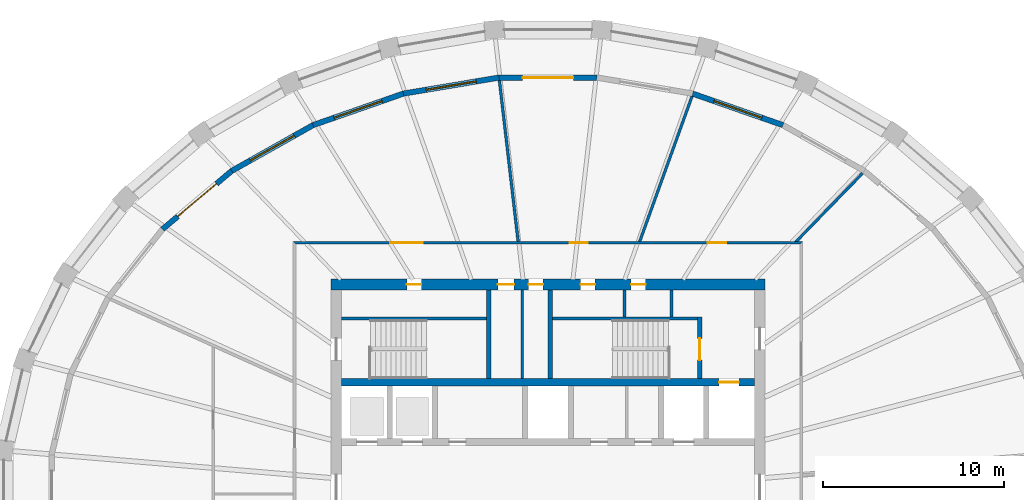
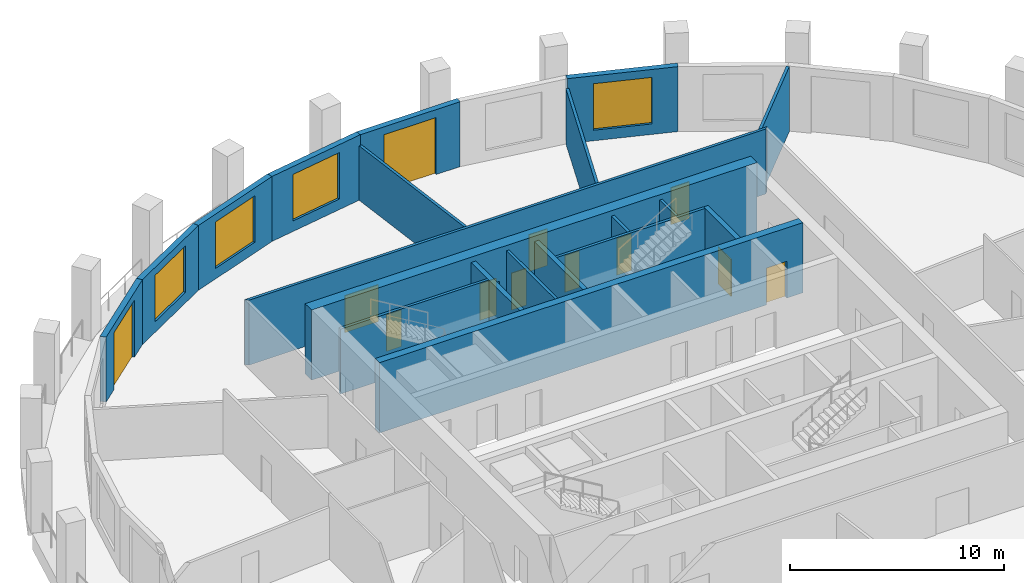
# One storey, part 6 of 10: 20 walls, 12 doors, 4 windows, 16 openings.
"""IFC4 building model written with IfcOpenShell, lengths in metres."""

from ifc_helpers import new_model, si_unit, direction, frame, frame_2d, origin, place, context, subcontext, project, spatial, polyline, rectangle, outline, extrude, material, layer, layer_set, type_object, element, fill, save


model = new_model("IFC4")

# Units and contexts
model_context = context("Model", 3, precision=1e-05, world=origin(), true_north=direction((0.0, 1.0)))
body_context = subcontext(model_context, "Body", "Model", "MODEL_VIEW")
ifc_project = project(units=[si_unit("LENGTHUNIT", "METRE"), si_unit("AREAUNIT", "SQUARE_METRE"), si_unit("VOLUMEUNIT", "CUBIC_METRE"), si_unit("PLANEANGLEUNIT", "RADIAN"), si_unit("MASSUNIT", "GRAM", prefix="KILO")], contexts=[model_context])

# Site, building, storey
site_placement = place(None, origin())
site = spatial("IfcSite", under=ifc_project, at=site_placement, CompositionType="ELEMENT")
building_placement = place(site_placement, origin())
building = spatial("IfcBuilding", under=site, at=building_placement, Name="Halqa Exchange Tower", CompositionType="ELEMENT")
storey_placement = place(building_placement, frame((0.0, 0.0, 260.300048828125)))
storey = spatial("IfcBuildingStorey", under=building, at=storey_placement, Name="L60", CompositionType="ELEMENT", Elevation=260.300048828125)

# Wall, openings, doors
ifc_material_1 = material(Name="Fire-rated gypsum board")
ifc_layer_1 = layer(ifc_material_1, 0.14990234375)
ifc_layer_set_1 = layer_set([ifc_layer_1], Name="Fire-rated gypsum board")
wall_type_1 = type_object("IfcWallType", Name="Fire partition EI 60 150", PredefinedType="PARTITIONING", material=ifc_layer_set_1)
wall_1_placement = place(storey_placement, frame((-14.074951171875, 14.0, 0.0), z_axis=(0.0, 0.0, 1.0), x_axis=(1.0, 0.0, 0.0)))
wall_1 = element("IfcWall", 1, at=wall_1_placement, inside=storey, type_object=wall_type_1, Name="L60-PWL-012", PredefinedType="PARTITIONING", context=body_context, shape_type="SweptSolid", body=[
    extrude(outline(polyline([(0.14990234375, -0.074951171875), (2.13916015625, -0.074951171875), (4.12841796875, -0.074951171875), (6.11767578125, -0.074951171875), (8.107177734375, -0.074951171875), (10.096435546875, -0.074951171875), (12.085693359375, -0.074951171875), (14.074951171875, -0.074951171875), (16.064208984375, -0.074951171875), (18.053466796875, -0.074951171875), (20.042724609375, -0.074951171875), (22.0322265625, -0.074951171875), (24.021484375, -0.074951171875), (26.0107421875, -0.074951171875), (28.0, -0.074951171875), (28.14990234375, 0.074951171875), (26.273193359375, 0.074951171875), (24.396484375, 0.074951171875), (22.52001953125, 0.074951171875), (20.643310546875, 0.074951171875), (18.7666015625, 0.074951171875), (16.889892578125, 0.074951171875), (15.01318359375, 0.074951171875), (13.13671875, 0.074951171875), (11.260009765625, 0.074951171875), (9.38330078125, 0.074951171875), (7.506591796875, 0.074951171875), (5.6298828125, 0.074951171875), (3.75341796875, 0.074951171875), (1.876708984375, 0.074951171875), (0.0, 0.074951171875), (0.14990234375, -0.074951171875)])), origin(), (0.0, 0.0, 1.0), 3.699951171875),
])
opening_1_placement = place(wall_1_placement, frame((22.9150390625, 0.0, 0.0)))
opening_1 = element("IfcOpeningElement", 2, at=opening_1_placement, cuts=wall_1, Name="Opening 18-04", PredefinedType="OPENING", context=body_context, shape_type="SweptSolid", body=[
    extrude(rectangle(XDim=1.0, YDim=2.10009765625, at=frame_2d((0.5, 1.050048828125))), frame((0.0, 0.0869140625, 0.0), z_axis=(0.0, -1.0, 0.0), x_axis=(1.0, 0.0, 0.0)), (0.0, 0.0, 1.0), 0.173828125),
])
opening_2_placement = place(wall_1_placement, frame((15.27490234375, 0.0, 0.0)))
opening_2 = element("IfcOpeningElement", 3, at=opening_2_placement, cuts=wall_1, Name="Opening 18-05", PredefinedType="OPENING", context=body_context, shape_type="SweptSolid", body=[
    extrude(rectangle(XDim=1.0, YDim=2.10009765625, at=frame_2d((0.5, 1.050048828125))), frame((0.0, 0.0869140625, 0.0), z_axis=(0.0, -1.0, 0.0), x_axis=(1.0, 0.0, 0.0)), (0.0, 0.0, 1.0), 0.173828125),
])
opening_3_placement = place(wall_1_placement, frame((5.35498046875, 0.0, 0.0)))
opening_3 = element("IfcOpeningElement", 4, at=opening_3_placement, cuts=wall_1, Name="Opening 18-06", PredefinedType="OPENING", context=body_context, shape_type="SweptSolid", body=[
    extrude(rectangle(XDim=1.800048828125, YDim=2.10009765625, at=frame_2d((0.89990234375, 1.050048828125))), frame((0.0, 0.0869140625, 0.0), z_axis=(0.0, -1.0, 0.0), x_axis=(1.0, 0.0, 0.0)), (0.0, 0.0, 1.0), 0.173828125),
])
ifc_material_2 = material(Name="Steel fire door leaf", Category="steel")
door_type_1 = type_object("IfcDoorType", Name="Fire door FD30S 1000 x 2100", OperationType="SINGLE_SWING_LEFT", PredefinedType="DOOR", material=ifc_material_2)
door_1_placement = place(opening_1_placement, origin())
door_1 = element("IfcDoor", 5, at=door_1_placement, inside=storey, type_object=door_type_1, Name="L60-IDR-004", OperationType="SINGLE_SWING_RIGHT", OverallHeight=2.10009765625, OverallWidth=1.0, PredefinedType="DOOR", context=body_context, shape_type="SweptSolid", body=[
    extrude(rectangle(XDim=1.0, YDim=2.10009765625, at=frame_2d((0.5, 1.050048828125))), frame((0.0, 0.02490234375, 0.0), z_axis=(0.0, -1.0, 0.0), x_axis=(1.0, 0.0, 0.0)), (0.0, 0.0, 1.0), 0.050048828125),
])
fill(opening_1, door_1)
door_2_placement = place(opening_2_placement, origin())
door_2 = element("IfcDoor", 6, at=door_2_placement, inside=storey, type_object=door_type_1, Name="L60-IDR-005", OperationType="SINGLE_SWING_RIGHT", OverallHeight=2.10009765625, OverallWidth=1.0, PredefinedType="DOOR", context=body_context, shape_type="SweptSolid", body=[
    extrude(rectangle(XDim=1.0, YDim=2.10009765625, at=frame_2d((0.5, 1.050048828125))), frame((0.0, 0.02490234375, 0.0), z_axis=(0.0, -1.0, 0.0), x_axis=(1.0, 0.0, 0.0)), (0.0, 0.0, 1.0), 0.050048828125),
])
fill(opening_2, door_2)
door_type_2 = type_object("IfcDoorType", Name="Fire door FD30S double 1800 x 2100", OperationType="DOUBLE_DOOR_SINGLE_SWING", PredefinedType="DOOR", material=ifc_material_2)
door_3_placement = place(opening_3_placement, origin())
door_3 = element("IfcDoor", 7, at=door_3_placement, inside=storey, type_object=door_type_2, Name="L60-IDR-006", OperationType="DOUBLE_DOOR_SINGLE_SWING", OverallHeight=2.10009765625, OverallWidth=1.800048828125, PredefinedType="DOOR", context=body_context, shape_type="SweptSolid", body=[
    extrude(rectangle(XDim=1.800048828125, YDim=2.10009765625, at=frame_2d((0.89990234375, 1.050048828125))), frame((0.0, 0.02490234375, 0.0), z_axis=(0.0, -1.0, 0.0), x_axis=(1.0, 0.0, 0.0)), (0.0, 0.0, 1.0), 0.050048828125),
])
fill(opening_3, door_3)

# Walls
wall_2_placement = place(storey_placement, frame((-1.647705078125, 14.066650390625, 0.0), z_axis=(0.0, 0.0, 1.0), x_axis=(-0.115608238976, 0.993294888279, 0.0)))
element("IfcWall", 8, at=wall_2_placement, inside=storey, type_object=wall_type_1, Name="L60-PWL-013", PredefinedType="PARTITIONING", context=body_context, shape_type="SweptSolid", body=[
    extrude(outline(polyline([(0.0, -0.074951171875), (1.793701171875, -0.074951171875), (3.58740234375, -0.074951171875), (5.381103515625, -0.074951171875), (7.174560546875, -0.074951171875), (8.96826171875, -0.074951171875), (8.972900390625, -0.03564453125), (8.972900390625, 0.074951171875), (7.181640625, 0.074951171875), (5.390625, 0.074951171875), (3.599365234375, 0.074951171875), (1.808349609375, 0.074951171875), (0.01708984375, 0.074951171875), (0.0, -0.072265625), (0.0, -0.074951171875)])), origin(), (0.0, 0.0, 1.0), 3.099853515625),
])
wall_3_placement = place(storey_placement, frame((5.05810546875, 14.0498046875, 0.0), z_axis=(0.0, 0.0, 1.0), x_axis=(0.339015479588, 0.940780795191, 0.0)))
element("IfcWall", 9, at=wall_3_placement, inside=storey, type_object=wall_type_1, Name="L60-PWL-015", PredefinedType="PARTITIONING", context=body_context, shape_type="SweptSolid", body=[
    extrude(outline(polyline([(8.556884765625, -0.074951171875), (8.556884765625, -0.049560546875), (8.556396484375, 0.002197265625), (8.543212890625, 0.074951171875), (6.83447265625, 0.074951171875), (5.1259765625, 0.074951171875), (3.417236328125, 0.074951171875), (1.708740234375, 0.074951171875), (0.0, 0.074951171875), (0.0, 0.07421875), (0.0537109375, -0.074951171875), (1.75439453125, -0.074951171875), (3.455078125, -0.074951171875), (5.15576171875, -0.074951171875), (6.856201171875, -0.074951171875), (8.556884765625, -0.074951171875)])), origin(), (0.0, 0.0, 1.0), 3.14990234375),
])
wall_4_placement = place(storey_placement, frame((13.662353515625, 14.02294921875, 0.0), z_axis=(0.0, 0.0, 1.0), x_axis=(0.697340314613, 0.716740179992, 0.0)))
element("IfcWall", 10, at=wall_4_placement, inside=storey, type_object=wall_type_1, Name="L60-PWL-016", PredefinedType="PARTITIONING", context=body_context, shape_type="SweptSolid", body=[
    extrude(outline(polyline([(0.0, 0.074951171875), (0.0, 0.07470703125), (0.1455078125, -0.074951171875), (1.871337890625, -0.074951171875), (3.597412109375, -0.074951171875), (5.3232421875, -0.074951171875), (5.3232421875, 0.074951171875), (3.548828125, 0.074951171875), (1.7744140625, 0.074951171875), (0.0, 0.074951171875)])), origin(), (0.0, 0.0, 1.0), 3.699951171875),
])
ifc_material_3 = material(Name="Gypsum board")
ifc_layer_2 = layer(ifc_material_3, 0.14990234375)
ifc_layer_set_2 = layer_set([ifc_layer_2], Name="Gypsum board")
wall_type_2 = type_object("IfcWallType", Name="Penthouse riser wall 150 gypsum", PredefinedType="PARTITIONING", material=ifc_layer_set_2)
wall_5_placement = place(storey_placement, frame((-1.425048828125, 6.5, 0.0), z_axis=(0.0, 0.0, 1.0), x_axis=(0.0, 1.0, 0.0)))
element("IfcWall", 11, at=wall_5_placement, inside=storey, type_object=wall_type_2, Name="Partition W1.425 N", PredefinedType="PARTITIONING", context=body_context, shape_type="SweptSolid", body=[
    extrude(rectangle(XDim=4.89990234375, YDim=0.14990234375, at=frame_2d((2.449951171875, 0.0))), origin(), (0.0, 0.0, 1.0), 3.699951171875),
])
for number, where, z_axis, x_axis, name in (
    (12, (4.22509765625, 9.89990234375, 0.0), (0.0, 0.0, 1.0), (0.0, 1.0, 0.0), "Partition E4.225 N"),
    (13, (6.824951171875, 9.89990234375, 0.0), (0.0, 0.0, 1.0), (0.0, 1.0, 0.0), "Firefighting lobby west wall N"),
):
    element("IfcWall", number, at=place(storey_placement, frame(where, z_axis=z_axis, x_axis=x_axis)), inside=storey, type_object=wall_type_2, Name=name, PredefinedType="PARTITIONING", context=body_context, shape_type="SweptSolid", body=[
        extrude(rectangle(XDim=1.5, YDim=0.14990234375, at=frame_2d((0.75, 0.0))), origin(), (0.0, 0.0, 1.0), 3.699951171875),
    ])

# Wall, opening, door
ifc_material_4 = material(Name="Concrete C60/75", Category="concrete")
ifc_layer_3 = layer(ifc_material_4, 0.39990234375)
ifc_layer_set_3 = layer_set([ifc_layer_3], Name="Concrete C60/75")
wall_type_3 = type_object("IfcWallType", Name="RC core wall 400 C60/75", PredefinedType="SHEAR", material=ifc_layer_set_3)
wall_6_placement = place(storey_placement, frame((-11.39990234375, 6.300048828125, 0.0), z_axis=(0.0, 0.0, 1.0), x_axis=(1.0, 0.0, 0.0)))
wall_6 = element("IfcWall", 14, at=wall_6_placement, inside=storey, type_object=wall_type_3, Name="Lift row back wall N", PredefinedType="SHEAR", context=body_context, shape_type="SweptSolid", body=[
    extrude(rectangle(XDim=22.7998046875, YDim=0.39990234375, at=frame_2d((11.39990234375, 0.0))), origin(), (0.0, 0.0, 1.0), 4.0),
])
opening_4_placement = place(wall_6_placement, frame((20.85009765625, 0.0, 0.0)))
opening_4 = element("IfcOpeningElement", 15, at=opening_4_placement, cuts=wall_6, Name="Opening LD-FF1-T18", PredefinedType="OPENING", context=body_context, shape_type="SweptSolid", body=[
    extrude(rectangle(XDim=1.10009765625, YDim=2.10009765625, at=frame_2d((0.550048828125, 1.050048828125))), frame((0.0, 0.2119140625, 0.0), z_axis=(0.0, -1.0, 0.0), x_axis=(1.0, 0.0, 0.0)), (0.0, 0.0, 1.0), 0.423828125),
])
ifc_material_5 = material(Name="Stainless steel", Category="steel")
door_type_3 = type_object("IfcDoorType", Name="Lift landing door 1100 x 2100", OperationType="SLIDING_TO_LEFT", PredefinedType="DOOR", material=ifc_material_5)
door_4_placement = place(opening_4_placement, origin())
door_4 = element("IfcDoor", 16, at=door_4_placement, inside=storey, type_object=door_type_3, Name="Lift landing door FF1", OperationType="SLIDING_TO_LEFT", OverallHeight=2.10009765625, OverallWidth=1.10009765625, PredefinedType="DOOR", context=body_context, shape_type="SweptSolid", body=[
    extrude(rectangle(XDim=1.10009765625, YDim=2.10009765625, at=frame_2d((0.550048828125, 1.050048828125))), frame((0.0, 0.02490234375, 0.0), z_axis=(0.0, -1.0, 0.0), x_axis=(1.0, 0.0, 0.0)), (0.0, 0.0, 1.0), 0.050048828125),
])
fill(opening_4, door_4)

# Wall, openings, doors
ifc_layer_4 = layer(ifc_material_4, 0.60009765625)
ifc_layer_set_4 = layer_set([ifc_layer_4], Name="Concrete C60/75")
wall_type_4 = type_object("IfcWallType", Name="RC core wall 600 C60/75", PredefinedType="SHEAR", material=ifc_layer_set_4)
wall_7_placement = place(storey_placement, frame((-12.0, 11.699951171875, 0.0), z_axis=(0.0, 0.0, 1.0), x_axis=(1.0, 0.0, 0.0)))
wall_7 = element("IfcWall", 17, at=wall_7_placement, inside=storey, type_object=wall_type_4, Name="Core wall north", PredefinedType="SHEAR", context=body_context, shape_type="SweptSolid", body=[
    extrude(rectangle(XDim=24.0, YDim=0.60009765625, at=frame_2d((12.0, 0.0))), origin(), (0.0, 0.0, 1.0), 4.0),
])
opening_5_placement = place(wall_7_placement, frame((9.22509765625, 0.0, 0.0)))
opening_5 = element("IfcOpeningElement", 18, at=opening_5_placement, cuts=wall_7, Name="Opening T18-C17", PredefinedType="OPENING", context=body_context, shape_type="SweptSolid", body=[
    extrude(rectangle(XDim=0.89990234375, YDim=2.10009765625, at=frame_2d((0.449951171875, 1.050048828125))), frame((0.0, 0.31201171875, 0.0), z_axis=(0.0, -1.0, 0.0), x_axis=(1.0, 0.0, 0.0)), (0.0, 0.0, 1.0), 0.6240234375),
])
opening_6_placement = place(wall_7_placement, frame((10.925048828125, 0.0, 0.0)))
opening_6 = element("IfcOpeningElement", 19, at=opening_6_placement, cuts=wall_7, Name="Opening T18-C18", PredefinedType="OPENING", context=body_context, shape_type="SweptSolid", body=[
    extrude(rectangle(XDim=0.800048828125, YDim=2.10009765625, at=frame_2d((0.39990234375, 1.050048828125))), frame((0.0, 0.31201171875, 0.0), z_axis=(0.0, -1.0, 0.0), x_axis=(1.0, 0.0, 0.0)), (0.0, 0.0, 1.0), 0.6240234375),
])
opening_7_placement = place(wall_7_placement, frame((4.199951171875, 0.0, 0.0)))
opening_7 = element("IfcOpeningElement", 20, at=opening_7_placement, cuts=wall_7, Name="Opening T18-C19", PredefinedType="OPENING", context=body_context, shape_type="SweptSolid", body=[
    extrude(rectangle(XDim=0.800048828125, YDim=2.10009765625, at=frame_2d((0.39990234375, 1.050048828125))), frame((0.0, 0.31201171875, 0.0), z_axis=(0.0, -1.0, 0.0), x_axis=(1.0, 0.0, 0.0)), (0.0, 0.0, 1.0), 0.6240234375),
])
opening_8_placement = place(wall_7_placement, frame((13.800048828125, 0.0, 0.0)))
opening_8 = element("IfcOpeningElement", 21, at=opening_8_placement, cuts=wall_7, Name="Opening T18-C20", PredefinedType="OPENING", context=body_context, shape_type="SweptSolid", body=[
    extrude(rectangle(XDim=0.800048828125, YDim=2.10009765625, at=frame_2d((0.39990234375, 1.050048828125))), frame((0.0, 0.31201171875, 0.0), z_axis=(0.0, -1.0, 0.0), x_axis=(1.0, 0.0, 0.0)), (0.0, 0.0, 1.0), 0.6240234375),
])
opening_9_placement = place(wall_7_placement, frame((16.60009765625, 0.0, 0.0)))
opening_9 = element("IfcOpeningElement", 22, at=opening_9_placement, cuts=wall_7, Name="Opening T18-C21", PredefinedType="OPENING", context=body_context, shape_type="SweptSolid", body=[
    extrude(rectangle(XDim=0.800048828125, YDim=2.10009765625, at=frame_2d((0.39990234375, 1.050048828125))), frame((0.0, 0.31201171875, 0.0), z_axis=(0.0, -1.0, 0.0), x_axis=(1.0, 0.0, 0.0)), (0.0, 0.0, 1.0), 0.6240234375),
])
ifc_material_6 = material(Name="Timber fire door leaf", Category="wood")
door_type_4 = type_object("IfcDoorType", Name="Core room door FD30 900 x 2100", OperationType="SINGLE_SWING_LEFT", PredefinedType="DOOR", material=ifc_material_6)
door_5_placement = place(opening_5_placement, frame((0.89990234375, 0.0, 0.0), z_axis=(0.0, 0.0, 1.0), x_axis=(-1.0, 0.0, 0.0)))
door_5 = element("IfcDoor", 23, at=door_5_placement, inside=storey, type_object=door_type_4, Name="Core room door", OperationType="SINGLE_SWING_LEFT", OverallHeight=2.10009765625, OverallWidth=0.89990234375, PredefinedType="DOOR", context=body_context, shape_type="SweptSolid", body=[
    extrude(rectangle(XDim=0.89990234375, YDim=2.10009765625, at=frame_2d((0.449951171875, 1.050048828125))), frame((0.0, 0.02490234375, 0.0), z_axis=(0.0, -1.0, 0.0), x_axis=(1.0, 0.0, 0.0)), (0.0, 0.0, 1.0), 0.050048828125),
])
fill(opening_5, door_5)
door_type_5 = type_object("IfcDoorType", Name="Riser door FD60 800 x 2100", OperationType="SINGLE_SWING_LEFT", PredefinedType="DOOR", material=ifc_material_2)
door_6_placement = place(opening_6_placement, frame((0.800048828125, 0.0, 0.0), z_axis=(0.0, 0.0, 1.0), x_axis=(-1.0, 0.0, 0.0)))
door_6 = element("IfcDoor", 24, at=door_6_placement, inside=storey, type_object=door_type_5, Name="Core room door", OperationType="SINGLE_SWING_RIGHT", OverallHeight=2.10009765625, OverallWidth=0.800048828125, PredefinedType="DOOR", context=body_context, shape_type="SweptSolid", body=[
    extrude(rectangle(XDim=0.800048828125, YDim=2.10009765625, at=frame_2d((0.39990234375, 1.050048828125))), frame((0.0, 0.02490234375, 0.0), z_axis=(0.0, -1.0, 0.0), x_axis=(1.0, 0.0, 0.0)), (0.0, 0.0, 1.0), 0.050048828125),
])
fill(opening_6, door_6)
door_7_placement = place(opening_7_placement, frame((0.800048828125, 0.0, 0.0), z_axis=(0.0, 0.0, 1.0), x_axis=(-1.0, 0.0, 0.0)))
door_7 = element("IfcDoor", 25, at=door_7_placement, inside=storey, type_object=door_type_5, Name="Core room door", OperationType="SINGLE_SWING_RIGHT", OverallHeight=2.10009765625, OverallWidth=0.800048828125, PredefinedType="DOOR", context=body_context, shape_type="SweptSolid", body=[
    extrude(rectangle(XDim=0.800048828125, YDim=2.10009765625, at=frame_2d((0.39990234375, 1.050048828125))), frame((0.0, 0.02490234375, 0.0), z_axis=(0.0, -1.0, 0.0), x_axis=(1.0, 0.0, 0.0)), (0.0, 0.0, 1.0), 0.050048828125),
])
fill(opening_7, door_7)
door_8_placement = place(opening_8_placement, frame((0.800048828125, 0.0, 0.0), z_axis=(0.0, 0.0, 1.0), x_axis=(-1.0, 0.0, 0.0)))
door_8 = element("IfcDoor", 26, at=door_8_placement, inside=storey, type_object=door_type_5, Name="Core room door", OperationType="SINGLE_SWING_LEFT", OverallHeight=2.10009765625, OverallWidth=0.800048828125, PredefinedType="DOOR", context=body_context, shape_type="SweptSolid", body=[
    extrude(rectangle(XDim=0.800048828125, YDim=2.10009765625, at=frame_2d((0.39990234375, 1.050048828125))), frame((0.0, 0.02490234375, 0.0), z_axis=(0.0, -1.0, 0.0), x_axis=(1.0, 0.0, 0.0)), (0.0, 0.0, 1.0), 0.050048828125),
])
fill(opening_8, door_8)
door_9_placement = place(opening_9_placement, frame((0.800048828125, 0.0, 0.0), z_axis=(0.0, 0.0, 1.0), x_axis=(-1.0, 0.0, 0.0)))
door_9 = element("IfcDoor", 27, at=door_9_placement, inside=storey, type_object=door_type_5, Name="Core room door", OperationType="SINGLE_SWING_LEFT", OverallHeight=2.10009765625, OverallWidth=0.800048828125, PredefinedType="DOOR", context=body_context, shape_type="SweptSolid", body=[
    extrude(rectangle(XDim=0.800048828125, YDim=2.10009765625, at=frame_2d((0.39990234375, 1.050048828125))), frame((0.0, 0.02490234375, 0.0), z_axis=(0.0, -1.0, 0.0), x_axis=(1.0, 0.0, 0.0)), (0.0, 0.0, 1.0), 0.050048828125),
])
fill(opening_9, door_9)

# Walls
ifc_material_7 = material(Name="Concrete C30/37", Category="concrete")
ifc_layer_5 = layer(ifc_material_7, 0.14990234375)
ifc_layer_set_5 = layer_set([ifc_layer_5], Name="Concrete C30/37")
wall_type_5 = type_object("IfcWallType", Name="RC stair wall 150 C30/37", PredefinedType="SHEAR", material=ifc_layer_set_5)
for number, where, z_axis, x_axis, name in (
    (28, (-11.39990234375, 9.824951171875, 0.0), (0.0, 0.0, 1.0), (1.0, 0.0, 0.0), "Stair ST1 north wall N"),
    (29, (0.25, 9.824951171875, 0.0), (0.0, 0.0, 1.0), (1.0, 0.0, 0.0), "Stair ST2 north wall N"),
):
    element("IfcWall", number, at=place(storey_placement, frame(where, z_axis=z_axis, x_axis=x_axis)), inside=storey, type_object=wall_type_5, Name=name, PredefinedType="SHEAR", context=body_context, shape_type="SweptSolid", body=[
        extrude(rectangle(XDim=8.0, YDim=0.14990234375, at=frame_2d((4.0, 0.0))), origin(), (0.0, 0.0, 1.0), 3.699951171875),
    ])
ifc_layer_6 = layer(ifc_material_7, 0.25)
ifc_layer_set_6 = layer_set([ifc_layer_6], Name="Concrete C30/37")
wall_type_6 = type_object("IfcWallType", Name="RC stair wall 250 C30/37", PredefinedType="SHEAR", material=ifc_layer_set_6)
for number, where, z_axis, x_axis, name in (
    (30, (-3.27490234375, 6.5, 0.0), (0.0, 0.0, 1.0), (0.0, 1.0, 0.0), "Stair ST1 east wall N"),
    (31, (0.125, 6.5, 0.0), (0.0, 0.0, 1.0), (0.0, 1.0, 0.0), "Stair ST2 west wall N"),
):
    element("IfcWall", number, at=place(storey_placement, frame(where, z_axis=z_axis, x_axis=x_axis)), inside=storey, type_object=wall_type_6, Name=name, PredefinedType="SHEAR", context=body_context, shape_type="SweptSolid", body=[
        extrude(rectangle(XDim=4.89990234375, YDim=0.25, at=frame_2d((2.449951171875, 0.0))), origin(), (0.0, 0.0, 1.0), 3.699951171875),
    ])

# Wall, opening, door
wall_8_placement = place(storey_placement, frame((8.375, 6.5, 0.0), z_axis=(0.0, 0.0, 1.0), x_axis=(0.0, 1.0, 0.0)))
wall_8 = element("IfcWall", 32, at=wall_8_placement, inside=storey, type_object=wall_type_6, Name="Stair ST2 east wall N", PredefinedType="SHEAR", context=body_context, shape_type="SweptSolid", body=[
    extrude(rectangle(XDim=3.39990234375, YDim=0.25, at=frame_2d((1.699951171875, 0.0))), origin(), (0.0, 0.0, 1.0), 3.699951171875),
])
opening_10_placement = place(wall_8_placement, frame((1.02490234375, 0.0, 0.0)))
opening_10 = element("IfcOpeningElement", 33, at=opening_10_placement, cuts=wall_8, Name="Opening T18-C12", PredefinedType="OPENING", context=body_context, shape_type="SweptSolid", body=[
    extrude(rectangle(XDim=1.199951171875, YDim=2.10009765625, at=frame_2d((0.60009765625, 1.050048828125))), frame((0.0, 0.136962890625, 0.0), z_axis=(0.0, -1.0, 0.0), x_axis=(1.0, 0.0, 0.0)), (0.0, 0.0, 1.0), 0.27392578125),
])
door_type_6 = type_object("IfcDoorType", Name="Stair door FD90 1200 x 2100", OperationType="SINGLE_SWING_LEFT", PredefinedType="DOOR", material=ifc_material_2)
door_10_placement = place(opening_10_placement, origin())
door_10 = element("IfcDoor", 34, at=door_10_placement, inside=storey, type_object=door_type_6, Name="Stair door ST2", OperationType="SINGLE_SWING_LEFT", OverallHeight=2.10009765625, OverallWidth=1.199951171875, PredefinedType="DOOR", context=body_context, shape_type="SweptSolid", body=[
    extrude(rectangle(XDim=1.199951171875, YDim=2.10009765625, at=frame_2d((0.60009765625, 1.050048828125))), frame((0.0, 0.02490234375, 0.0), z_axis=(0.0, -1.0, 0.0), x_axis=(1.0, 0.0, 0.0)), (0.0, 0.0, 1.0), 0.050048828125),
])
fill(opening_10, door_10)

# Wall, opening, window
ifc_material_8 = material(Name="Limestone cladding", Category="masonry")
ifc_layer_7 = layer(ifc_material_8, 0.0400390625)
ifc_material_9 = material(Name="Ventilated cavity")
ifc_layer_8 = layer(ifc_material_9, 0.030029296875, ventilated=True)
ifc_material_10 = material(Name="Mineral wool insulation")
ifc_layer_9 = layer(ifc_material_10, 0.10009765625)
ifc_layer_10 = layer(ifc_material_7, 0.10009765625)
ifc_material_11 = material(Name="Internal plaster")
ifc_layer_11 = layer(ifc_material_11, 0.030029296875)
ifc_layer_set_7 = layer_set([ifc_layer_7, ifc_layer_8, ifc_layer_9, ifc_layer_10, ifc_layer_11], Name="Stone-faced insulated wall 300")
wall_type_7 = type_object("IfcWallType", Name="Stone-faced insulated wall 300", PredefinedType="STANDARD", material=ifc_layer_set_7)
wall_9_placement = place(storey_placement, frame((12.983154296875, 20.5048828125, 0.0), z_axis=(0.0, 0.0, 1.0), x_axis=(-0.944149712872, 0.32951679727, 0.0)))
wall_9 = element("IfcWall", 35, at=wall_9_placement, inside=storey, type_object=wall_type_7, Name="Glass-line wall 6", PredefinedType="STANDARD", context=body_context, shape_type="SweptSolid", body=[
    extrude(outline(polyline([(-0.013427734375, -0.14990234375), (5.296875, -0.14990234375), (5.271484375, 0.14990234375), (0.013427734375, 0.14990234375), (-0.013427734375, -0.14990234375)])), origin(), (0.0, 0.0, 1.0), 3.699951171875),
])
opening_11_placement = place(wall_9_placement, frame((1.241943359375, 0.0, 0.60009765625)))
opening_11 = element("IfcOpeningElement", 36, at=opening_11_placement, cuts=wall_9, Name="Opening W-F4-06", PredefinedType="OPENING", context=body_context, shape_type="SweptSolid", body=[
    extrude(rectangle(XDim=2.800048828125, YDim=2.64990234375, at=frame_2d((1.39990234375, 1.324951171875))), frame((0.0, 0.162109375, 0.0), z_axis=(0.0, -1.0, 0.0), x_axis=(1.0, 0.0, 0.0)), (0.0, 0.0, 1.0), 0.323974609375),
])
ifc_material_12 = material(Name="Clear low-emissivity glass in aluminium frame", Category="aluminium")
window_type = type_object("IfcWindowType", Name="Fixed clear glazed window 2800 x 2650", PartitioningType="DOUBLE_PANEL_VERTICAL", PredefinedType="WINDOW", material=ifc_material_12)
window_1_placement = place(opening_11_placement, origin())
window_1 = element("IfcWindow", 37, at=window_1_placement, inside=storey, type_object=window_type, Name="Window 4", OverallHeight=2.64990234375, OverallWidth=2.800048828125, PartitioningType="DOUBLE_PANEL_VERTICAL", PredefinedType="WINDOW", context=body_context, shape_type="SweptSolid", body=[
    extrude(rectangle(XDim=2.800048828125, YDim=2.64990234375, at=frame_2d((1.39990234375, 1.324951171875))), frame((0.0, 0.030029296875, 0.0), z_axis=(0.0, -1.0, 0.0), x_axis=(1.0, 0.0, 0.0)), (0.0, 0.0, 1.0), 0.06005859375),
])
fill(opening_11, window_1)

# Wall, opening, door
wall_10_placement = place(storey_placement, frame((2.69921875, 23.133544921875, 0.0), z_axis=(0.0, 0.0, 1.0), x_axis=(-1.0, 0.0, 0.0)))
wall_10 = element("IfcWall", 38, at=wall_10_placement, inside=storey, type_object=wall_type_7, Name="Glass-line wall 8", PredefinedType="STANDARD", context=body_context, shape_type="SweptSolid", body=[
    extrude(outline(polyline([(-0.012451171875, -0.14990234375), (5.410888671875, -0.14990234375), (5.385986328125, 0.14990234375), (0.012451171875, 0.14990234375), (-0.012451171875, -0.14990234375)])), origin(), (0.0, 0.0, 1.0), 3.699951171875),
])
opening_12_placement = place(wall_10_placement, frame((1.29931640625, 0.0, 0.0)))
opening_12 = element("IfcOpeningElement", 39, at=opening_12_placement, cuts=wall_10, Name="Opening LG-F4-02", PredefinedType="OPENING", context=body_context, shape_type="SweptSolid", body=[
    extrude(rectangle(XDim=2.800048828125, YDim=3.25, at=frame_2d((1.39990234375, 1.625))), frame((0.0, 0.162109375, 0.0), z_axis=(0.0, -1.0, 0.0), x_axis=(1.0, 0.0, 0.0)), (0.0, 0.0, 1.0), 0.323974609375),
])
door_type_7 = type_object("IfcDoorType", Name="Glazed sliding loggia door 2800 x 3250", OperationType="DOUBLE_DOOR_SLIDING", PredefinedType="DOOR", material=ifc_material_12)
door_11_placement = place(opening_12_placement, origin())
door_11 = element("IfcDoor", 40, at=door_11_placement, inside=storey, type_object=door_type_7, Name="Loggia door 2", OperationType="DOUBLE_DOOR_SLIDING", OverallHeight=3.25, OverallWidth=2.800048828125, PredefinedType="DOOR", context=body_context, shape_type="SweptSolid", body=[
    extrude(rectangle(XDim=2.800048828125, YDim=3.25, at=frame_2d((1.39990234375, 1.625))), frame((0.0, 0.02490234375, 0.0), z_axis=(0.0, -1.0, 0.0), x_axis=(1.0, 0.0, 0.0)), (0.0, 0.0, 1.0), 0.050048828125),
])
fill(opening_12, door_11)

# Wall, opening, window
wall_11_placement = place(storey_placement, frame((-2.69921875, 23.133544921875, 0.0), z_axis=(0.0, 0.0, 1.0), x_axis=(-0.986243571741, -0.165298569867, 0.0)))
wall_11 = element("IfcWall", 41, at=wall_11_placement, inside=storey, type_object=wall_type_7, Name="Glass-line wall 9", PredefinedType="STANDARD", context=body_context, shape_type="SweptSolid", body=[
    extrude(outline(polyline([(-0.012451171875, -0.14990234375), (5.381591796875, -0.14990234375), (5.356201171875, 0.14990234375), (0.012451171875, 0.14990234375), (-0.012451171875, -0.14990234375)])), origin(), (0.0, 0.0, 1.0), 3.699951171875),
])
opening_13_placement = place(wall_11_placement, frame((1.284423828125, 0.0, 0.60009765625)))
opening_13 = element("IfcOpeningElement", 42, at=opening_13_placement, cuts=wall_11, Name="Opening W-F4-09", PredefinedType="OPENING", context=body_context, shape_type="SweptSolid", body=[
    extrude(rectangle(XDim=2.800048828125, YDim=2.64990234375, at=frame_2d((1.39990234375, 1.324951171875))), frame((0.0, 0.162109375, 0.0), z_axis=(0.0, -1.0, 0.0), x_axis=(1.0, 0.0, 0.0)), (0.0, 0.0, 1.0), 0.323974609375),
])
window_2_placement = place(opening_13_placement, origin())
window_2 = element("IfcWindow", 43, at=window_2_placement, inside=storey, type_object=window_type, Name="Window 4", OverallHeight=2.64990234375, OverallWidth=2.800048828125, PartitioningType="DOUBLE_PANEL_VERTICAL", PredefinedType="WINDOW", context=body_context, shape_type="SweptSolid", body=[
    extrude(rectangle(XDim=2.800048828125, YDim=2.64990234375, at=frame_2d((1.39990234375, 1.324951171875))), frame((0.0, 0.030029296875, 0.0), z_axis=(0.0, -1.0, 0.0), x_axis=(1.0, 0.0, 0.0)), (0.0, 0.0, 1.0), 0.06005859375),
])
fill(opening_13, window_2)

wall_12_placement = place(storey_placement, frame((-7.994140625, 22.24609375, 0.0), z_axis=(0.0, 0.0, 1.0), x_axis=(-0.944149712872, -0.32951679727, 0.0)))
wall_12 = element("IfcWall", 44, at=wall_12_placement, inside=storey, type_object=wall_type_7, Name="Glass-line wall 10", PredefinedType="STANDARD", context=body_context, shape_type="SweptSolid", body=[
    extrude(outline(polyline([(-0.0126953125, -0.14990234375), (5.297607421875, -0.14990234375), (5.270751953125, 0.14990234375), (0.0126953125, 0.14990234375), (-0.0126953125, -0.14990234375)])), origin(), (0.0, 0.0, 1.0), 3.699951171875),
])
opening_14_placement = place(wall_12_placement, frame((1.241943359375, 0.0, 0.60009765625)))
opening_14 = element("IfcOpeningElement", 45, at=opening_14_placement, cuts=wall_12, Name="Opening W-F4-10", PredefinedType="OPENING", context=body_context, shape_type="SweptSolid", body=[
    extrude(rectangle(XDim=2.800048828125, YDim=2.64990234375, at=frame_2d((1.39990234375, 1.324951171875))), frame((0.0, 0.162109375, 0.0), z_axis=(0.0, -1.0, 0.0), x_axis=(1.0, 0.0, 0.0)), (0.0, 0.0, 1.0), 0.323974609375),
])
window_3_placement = place(opening_14_placement, origin())
window_3 = element("IfcWindow", 46, at=window_3_placement, inside=storey, type_object=window_type, Name="Window 4", OverallHeight=2.64990234375, OverallWidth=2.800048828125, PartitioningType="DOUBLE_PANEL_VERTICAL", PredefinedType="WINDOW", context=body_context, shape_type="SweptSolid", body=[
    extrude(rectangle(XDim=2.800048828125, YDim=2.64990234375, at=frame_2d((1.39990234375, 1.324951171875))), frame((0.0, 0.030029296875, 0.0), z_axis=(0.0, -1.0, 0.0), x_axis=(1.0, 0.0, 0.0)), (0.0, 0.0, 1.0), 0.06005859375),
])
fill(opening_14, window_3)

wall_13_placement = place(storey_placement, frame((-12.983154296875, 20.5048828125, 0.0), z_axis=(0.0, 0.0, 1.0), x_axis=(-0.871411047742, -0.490553550465, 0.0)))
wall_13 = element("IfcWall", 47, at=wall_13_placement, inside=storey, type_object=wall_type_7, Name="Glass-line wall 11", PredefinedType="STANDARD", context=body_context, shape_type="SweptSolid", body=[
    extrude(outline(polyline([(-0.013427734375, -0.14990234375), (5.168701171875, -0.14990234375), (5.140380859375, 0.14990234375), (0.013427734375, 0.14990234375), (-0.013427734375, -0.14990234375)])), origin(), (0.0, 0.0, 1.0), 3.699951171875),
])
opening_15_placement = place(wall_13_placement, frame((1.17724609375, 0.0, 0.60009765625)))
opening_15 = element("IfcOpeningElement", 48, at=opening_15_placement, cuts=wall_13, Name="Opening W-F4-11", PredefinedType="OPENING", context=body_context, shape_type="SweptSolid", body=[
    extrude(rectangle(XDim=2.800048828125, YDim=2.64990234375, at=frame_2d((1.39990234375, 1.324951171875))), frame((0.0, 0.162109375, 0.0), z_axis=(0.0, -1.0, 0.0), x_axis=(1.0, 0.0, 0.0)), (0.0, 0.0, 1.0), 0.323974609375),
])
window_4_placement = place(opening_15_placement, origin())
window_4 = element("IfcWindow", 49, at=window_4_placement, inside=storey, type_object=window_type, Name="Window 4", OverallHeight=2.64990234375, OverallWidth=2.800048828125, PartitioningType="DOUBLE_PANEL_VERTICAL", PredefinedType="WINDOW", context=body_context, shape_type="SweptSolid", body=[
    extrude(rectangle(XDim=2.800048828125, YDim=2.64990234375, at=frame_2d((1.39990234375, 1.324951171875))), frame((0.0, 0.030029296875, 0.0), z_axis=(0.0, -1.0, 0.0), x_axis=(1.0, 0.0, 0.0)), (0.0, 0.0, 1.0), 0.06005859375),
])
fill(opening_15, window_4)

# Wall, opening, door
wall_14_placement = place(storey_placement, frame((-17.474853515625, 17.976318359375, 0.0), z_axis=(0.0, 0.0, 1.0), x_axis=(-0.764746492461, -0.644331283013, 0.0)))
wall_14 = element("IfcWall", 50, at=wall_14_placement, inside=storey, type_object=wall_type_7, Name="Glass-line wall 12", PredefinedType="STANDARD", context=body_context, shape_type="SweptSolid", body=[
    extrude(outline(polyline([(-0.01416015625, -0.14990234375), (5.012939453125, -0.14990234375), (4.982666015625, 0.14990234375), (0.01416015625, 0.14990234375), (-0.01416015625, -0.14990234375)])), origin(), (0.0, 0.0, 1.0), 3.699951171875),
])
opening_16_placement = place(wall_14_placement, frame((1.098876953125, 0.0, 0.0)))
opening_16 = element("IfcOpeningElement", 51, at=opening_16_placement, cuts=wall_14, Name="Opening LG-F4-03", PredefinedType="OPENING", context=body_context, shape_type="SweptSolid", body=[
    extrude(rectangle(XDim=2.800048828125, YDim=3.25, at=frame_2d((1.39990234375, 1.625))), frame((0.0, 0.162109375, 0.0), z_axis=(0.0, -1.0, 0.0), x_axis=(1.0, 0.0, 0.0)), (0.0, 0.0, 1.0), 0.323974609375),
])
door_12_placement = place(opening_16_placement, origin())
door_12 = element("IfcDoor", 52, at=door_12_placement, inside=storey, type_object=door_type_7, Name="Loggia door 3", OperationType="DOUBLE_DOOR_SLIDING", OverallHeight=3.25, OverallWidth=2.800048828125, PredefinedType="DOOR", context=body_context, shape_type="SweptSolid", body=[
    extrude(rectangle(XDim=2.800048828125, YDim=3.25, at=frame_2d((1.39990234375, 1.625))), frame((0.0, 0.02490234375, 0.0), z_axis=(0.0, -1.0, 0.0), x_axis=(1.0, 0.0, 0.0)), (0.0, 0.0, 1.0), 0.050048828125),
])
fill(opening_16, door_12)

save(model, "model.ifc")
